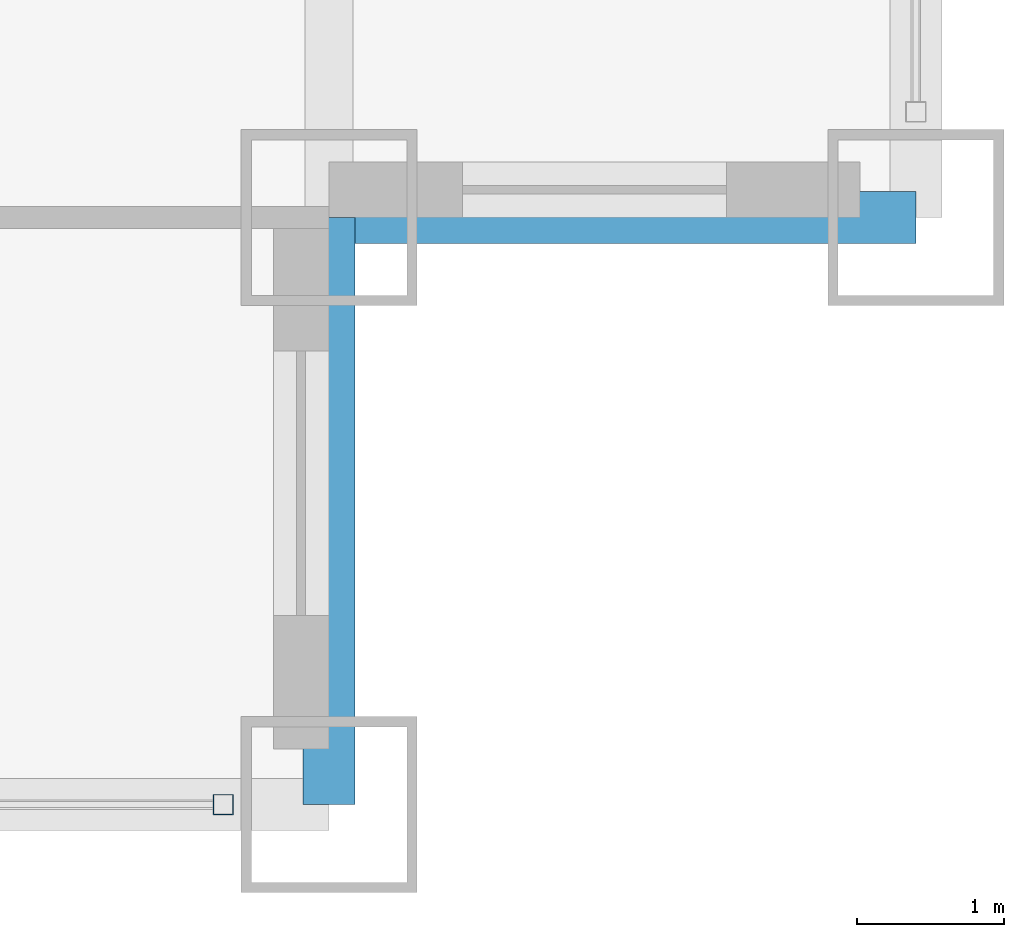
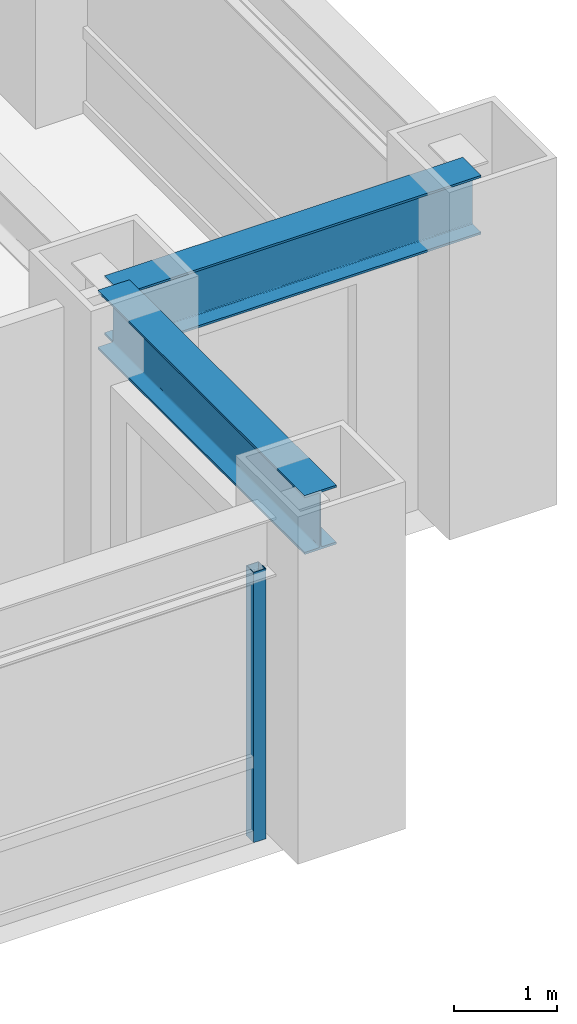
# One storey, part 6 of 27: 2 beams, 1 member, 1 element without a shape of its own.
"""IFC4 building model written with IfcOpenShell, lengths in metres."""

from ifc_helpers import new_model, si_unit, direction, frame, origin, origin_2d, place, context, subcontext, project, spatial, hollow_rectangle, i_section, extrude, source, transform, mapped, material, material_profile, profile_set, type_object, element, aggregate, save


model = new_model("IFC4")

# Units and contexts
model_context = context("Model", 3, precision=1e-05, world=origin(), true_north=direction((0.0, 1.0)))
body_context = subcontext(model_context, "Body", "Model", "MODEL_VIEW")
ifc_project = project(units=[si_unit("LENGTHUNIT", "METRE"), si_unit("AREAUNIT", "SQUARE_METRE"), si_unit("VOLUMEUNIT", "CUBIC_METRE"), si_unit("PLANEANGLEUNIT", "RADIAN"), si_unit("MASSUNIT", "GRAM", prefix="KILO")], contexts=[model_context])

# Site, building, storey
site_placement = place(None, origin())
site = spatial("IfcSite", under=ifc_project, at=site_placement, CompositionType="ELEMENT")
building_placement = place(site_placement, origin())
building = spatial("IfcBuilding", under=site, at=building_placement, Name="Khorayat Bourse Tower", CompositionType="ELEMENT")
storey_placement = place(building_placement, frame((0.0, 0.0, 107.800048828125)))
storey = spatial("IfcBuildingStorey", under=building, at=storey_placement, Name="L24", CompositionType="ELEMENT", Elevation=107.800048828125)

# Beams
ifc_material_1 = material(Name="Steel ASTM A992 Grade 50", Category="steel")
ifc_material_profile_1 = material_profile(ifc_material_1, i_section(OverallWidth=0.35498046875, OverallDepth=0.695068359375, WebThickness=0.015380859375, FlangeThickness=0.02490234375, FilletRadius=0.01806640625, at=origin_2d()), Name="W690X217")
ifc_profile_set_1 = profile_set([ifc_material_profile_1], Name="Steel ASTM A992 Grade 50")
beam_type = type_object("IfcBeamType", Name="BM-SPAN-690", PredefinedType="SPANDREL", material=ifc_profile_set_1)
shared_shape_1 = source(origin(), body_context, "Body", "SweptSolid", [
    extrude(i_section(OverallWidth=0.35498046875, OverallDepth=0.695068359375, WebThickness=0.015380859375, FlangeThickness=0.02490234375, FilletRadius=0.01806640625, at=origin_2d()), origin(), (0.0, 0.0, 1.0), 4.0),
])
for number, where, z_axis, x_axis, name in (
    (1, (28.0, -32.0, 3.492431640625), (0.0, 1.0, 0.0), (-1.0, 0.0, 0.0), "L24 BM-SPAN-690 BM-L24-SPN-032"),
    (2, (28.0, -28.0, 3.492431640625), (1.0, 0.0, 0.0), (0.0, 1.0, 0.0), "L24 BM-SPAN-690 BM-L24-SPN-033"),
):
    element("IfcBeam", number, at=place(storey_placement, frame(where, z_axis=z_axis, x_axis=x_axis)), inside=storey, type_object=beam_type, Name=name, PredefinedType="SPANDREL", context=body_context, shape_type="MappedRepresentation", body=[
        mapped(shared_shape_1, transform((0.0, 0.0, 0.0), scale=1.0)),
    ])

# Curtain wall, member
ifc_material_2 = material(Name="Aluminium EN AW-6063 T6", Category="aluminium")
curtain_wall_type = type_object("IfcCurtainWallType", Name="CW-SYS-02", PredefinedType="NOTDEFINED", material=ifc_material_2)
curtain_wall_placement = place(storey_placement, origin())
curtain_wall = element("IfcCurtainWall", 3, at=curtain_wall_placement, inside=storey, type_object=curtain_wall_type, Name="L24 Curtain Wall CW-L24-S1", PredefinedType="NOTDEFINED")
ifc_material_profile_2 = material_profile(ifc_material_2, hollow_rectangle(XDim=0.139892578125, YDim=0.139892578125, WallThickness=0.006103515625, at=origin_2d()), Name="ALU 140x140x6")
ifc_profile_set_2 = profile_set([ifc_material_profile_2], Name="Aluminium EN AW-6063 T6")
member_type = type_object("IfcMemberType", Name="CWM-VERT-140", PredefinedType="MULLION", material=ifc_profile_set_2)
shared_shape_2 = source(origin(), body_context, "Body", "SweptSolid", [
    extrude(hollow_rectangle(XDim=0.139892578125, YDim=0.139892578125, WallThickness=0.006103515625, at=origin_2d()), origin(), (0.0, 0.0, 1.0), 3.18994140625),
])
member_placement = place(storey_placement, frame((27.280029296875, -32.0, 0.0), z_axis=(0.0, 0.0, 1.0), x_axis=(0.0, 1.0, 0.0)))
member = element("IfcMember", 4, at=member_placement, type_object=member_type, Name="CW-L24-S1 Vertical Mullion 3", PredefinedType="MULLION", context=body_context, shape_type="MappedRepresentation", body=[
    mapped(shared_shape_2, transform((0.0, 0.0, 0.0), scale=1.0)),
])
aggregate(curtain_wall, [member])

save(model, "model.ifc")
